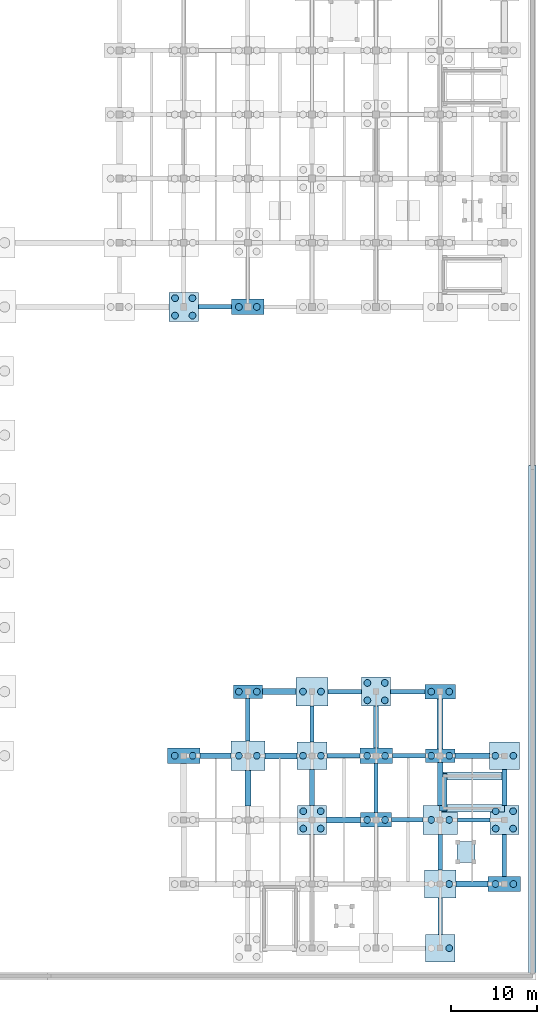
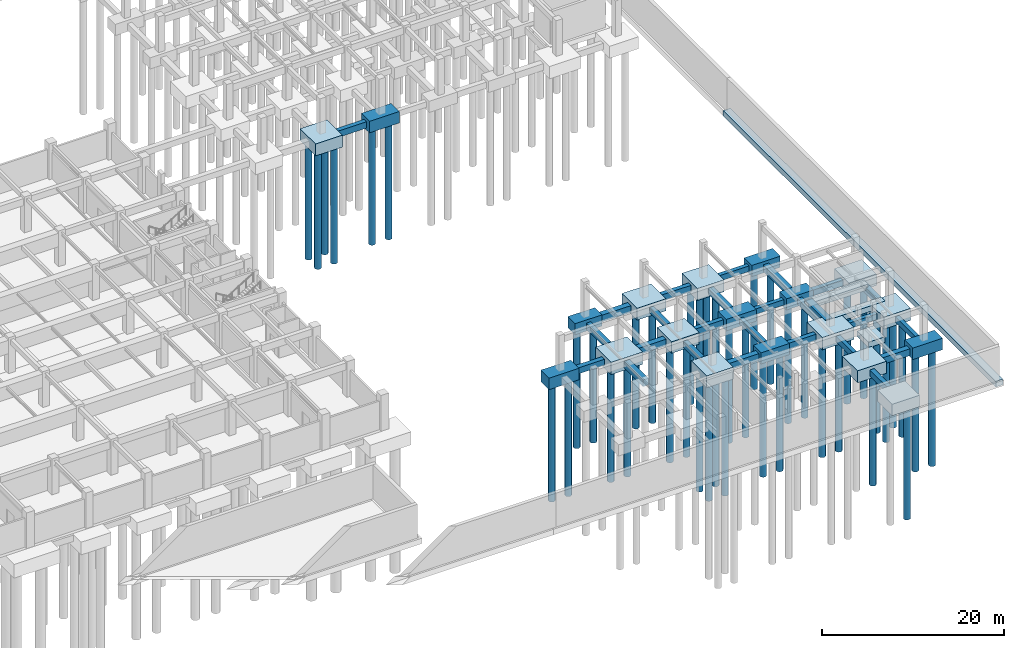
# One storey, part 10 of 38: 49 footings, 44 piles.
"""IFC4 building model written with IfcOpenShell, lengths in metres."""

from ifc_helpers import new_model, si_unit, direction, frame, origin, origin_2d, place, context, subcontext, project, spatial, polyline, rectangle, circle, outline, extrude, material, material_profile, profile_set, type_object, element, save


model = new_model("IFC4")

# Units and contexts
model_context = context("Model", 3, precision=1e-05, world=origin(), true_north=direction((0.0, 1.0)))
body_context = subcontext(model_context, "Body", "Model", "MODEL_VIEW")
ifc_project = project(units=[si_unit("LENGTHUNIT", "METRE"), si_unit("AREAUNIT", "SQUARE_METRE"), si_unit("VOLUMEUNIT", "CUBIC_METRE"), si_unit("PLANEANGLEUNIT", "RADIAN"), si_unit("MASSUNIT", "GRAM", prefix="KILO")], contexts=[model_context])

# Site, building, storey
site_placement = place(None, origin())
site = spatial("IfcSite", under=ifc_project, at=site_placement, CompositionType="ELEMENT")
building_placement = place(site_placement, origin())
building = spatial("IfcBuilding", under=site, at=building_placement, Name="Qasida Concert Hall", CompositionType="ELEMENT")
storey_placement = place(building_placement, frame((0.0, 0.0, -4.800048828125)))
storey = spatial("IfcBuildingStorey", under=building, at=storey_placement, Name="B1", CompositionType="ELEMENT", Elevation=-4.800048828125)

# Footings
ifc_material = material(Name="Concrete C40/50", Category="concrete")
footing_type_1 = type_object("IfcFootingType", Name="FT-GB-1", PredefinedType="FOOTING_BEAM", material=ifc_material)
footing_1_placement = place(storey_placement, frame((0.0, 0.0, -1.169921875)))
element("IfcFooting", 1, at=footing_1_placement, inside=storey, type_object=footing_type_1, Name="Ground tie beam GB-1 028", PredefinedType="FOOTING_BEAM", context=body_context, shape_type="SweptSolid", body=[
    extrude(outline(polyline([(159.5, 14.75), (163.300048828125, 14.75), (163.300048828125, 15.25), (159.5, 15.25), (159.5, 14.75)])), origin(), (0.0, 0.0, 1.0), 0.75),
])
footing_2_placement = place(storey_placement, frame((0.0, 0.0, -1.169921875)))
element("IfcFooting", 2, at=footing_2_placement, inside=storey, type_object=footing_type_1, Name="Ground tie beam GB-1 044", PredefinedType="FOOTING_BEAM", context=body_context, shape_type="SweptSolid", body=[
    extrude(outline(polyline([(151.89990234375, 22.25), (155.800048828125, 22.25), (155.800048828125, 22.75), (151.89990234375, 22.75), (151.89990234375, 22.25)])), origin(), (0.0, 0.0, 1.0), 0.75),
])
footing_3_placement = place(storey_placement, frame((0.0, 0.0, -1.169921875)))
element("IfcFooting", 3, at=footing_3_placement, inside=storey, type_object=footing_type_1, Name="Ground tie beam GB-1 060", PredefinedType="FOOTING_BEAM", context=body_context, shape_type="SweptSolid", body=[
    extrude(outline(polyline([(151.699951171875, 29.75), (155.699951171875, 29.75), (155.699951171875, 30.25), (151.699951171875, 30.25), (151.699951171875, 29.75)])), origin(), (0.0, 0.0, 1.0), 0.75),
])
footing_4_placement = place(storey_placement, frame((0.0, 0.0, -1.169921875)))
element("IfcFooting", 4, at=footing_4_placement, inside=storey, type_object=footing_type_1, Name="Ground tie beam GB-1 332", PredefinedType="FOOTING_BEAM", context=body_context, shape_type="SweptSolid", body=[
    extrude(outline(polyline([(142.25, 24.10009765625), (142.75, 24.10009765625), (142.75, 28.35009765625), (142.25, 28.35009765625), (142.25, 24.10009765625)])), origin(), (0.0, 0.0, 1.0), 0.75),
])
footing_5_placement = place(storey_placement, frame((0.0, 0.0, -1.169921875)))
element("IfcFooting", 5, at=footing_5_placement, inside=storey, type_object=footing_type_1, Name="Ground tie beam GB-1 340", PredefinedType="FOOTING_BEAM", context=body_context, shape_type="SweptSolid", body=[
    extrude(outline(polyline([(149.75, 15.85009765625), (150.25, 15.85009765625), (150.25, 21.60009765625), (149.75, 21.60009765625), (149.75, 15.85009765625)])), origin(), (0.0, 0.0, 1.0), 0.75),
])
footing_6_placement = place(storey_placement, frame((0.0, 0.0, -1.169921875)))
element("IfcFooting", 6, at=footing_6_placement, inside=storey, type_object=footing_type_1, Name="Ground tie beam GB-1 348", PredefinedType="FOOTING_BEAM", context=body_context, shape_type="SweptSolid", body=[
    extrude(outline(polyline([(157.25, 9.14990234375), (157.75, 9.14990234375), (157.75, 13.300048828125), (157.25, 13.300048828125), (157.25, 9.14990234375)])), origin(), (0.0, 0.0, 1.0), 0.75),
])
footing_7_placement = place(storey_placement, frame((0.0, 0.0, -1.169921875)))
element("IfcFooting", 7, at=footing_7_placement, inside=storey, type_object=footing_type_1, Name="Ground tie beam GB-1 356", PredefinedType="FOOTING_BEAM", context=body_context, shape_type="SweptSolid", body=[
    extrude(outline(polyline([(164.75, 8.39990234375), (165.25, 8.39990234375), (165.25, 13.300048828125), (164.75, 13.300048828125), (164.75, 8.39990234375)])), origin(), (0.0, 0.0, 1.0), 0.75),
])
footing_type_2 = type_object("IfcFootingType", Name="FT-GB-2", PredefinedType="FOOTING_BEAM", material=ifc_material)
footing_8_placement = place(storey_placement, frame((0.0, 0.0, -1.219970703125)))
element("IfcFooting", 8, at=footing_8_placement, inside=storey, type_object=footing_type_2, Name="Ground tie beam GB-2 041", PredefinedType="FOOTING_BEAM", context=body_context, shape_type="SweptSolid", body=[
    extrude(outline(polyline([(129.39990234375, 22.199951171875), (133.0, 22.199951171875), (133.0, 22.800048828125), (129.39990234375, 22.800048828125), (129.39990234375, 22.199951171875)])), origin(), (0.0, 0.0, 1.0), 0.800048828125),
])
footing_9_placement = place(storey_placement, frame((0.0, 0.0, -1.219970703125)))
element("IfcFooting", 9, at=footing_9_placement, inside=storey, type_object=footing_type_2, Name="Ground tie beam GB-2 045", PredefinedType="FOOTING_BEAM", context=body_context, shape_type="SweptSolid", body=[
    extrude(outline(polyline([(159.199951171875, 22.199951171875), (163.25, 22.199951171875), (163.25, 22.800048828125), (159.199951171875, 22.800048828125), (159.199951171875, 22.199951171875)])), origin(), (0.0, 0.0, 1.0), 0.800048828125),
])
footing_10_placement = place(storey_placement, frame((0.0, 0.0, -1.219970703125)))
element("IfcFooting", 10, at=footing_10_placement, inside=storey, type_object=footing_type_2, Name="Ground tie beam GB-2 341", PredefinedType="FOOTING_BEAM", context=body_context, shape_type="SweptSolid", body=[
    extrude(outline(polyline([(149.699951171875, 23.39990234375), (150.300048828125, 23.39990234375), (150.300048828125, 28.300048828125), (149.699951171875, 28.300048828125), (149.699951171875, 23.39990234375)])), origin(), (0.0, 0.0, 1.0), 0.800048828125),
])
footing_11_placement = place(storey_placement, frame((0.0, 0.0, -1.219970703125)))
element("IfcFooting", 11, at=footing_11_placement, inside=storey, type_object=footing_type_2, Name="Ground tie beam GB-2 349", PredefinedType="FOOTING_BEAM", context=body_context, shape_type="SweptSolid", body=[
    extrude(outline(polyline([(157.199951171875, 16.699951171875), (157.800048828125, 16.699951171875), (157.800048828125, 21.699951171875), (157.199951171875, 21.699951171875), (157.199951171875, 16.699951171875)])), origin(), (0.0, 0.0, 1.0), 0.800048828125),
])
footing_12_placement = place(storey_placement, frame((0.0, 0.0, -1.219970703125)))
element("IfcFooting", 12, at=footing_12_placement, inside=storey, type_object=footing_type_2, Name="Ground tie beam GB-2 357", PredefinedType="FOOTING_BEAM", context=body_context, shape_type="SweptSolid", body=[
    extrude(outline(polyline([(164.699951171875, 16.699951171875), (165.300048828125, 16.699951171875), (165.300048828125, 20.89990234375), (164.699951171875, 20.89990234375), (164.699951171875, 16.699951171875)])), origin(), (0.0, 0.0, 1.0), 0.800048828125),
])
footing_type_3 = type_object("IfcFootingType", Name="FT-GB-3", PredefinedType="FOOTING_BEAM", material=ifc_material)
footing_13_placement = place(storey_placement, frame((0.0, 0.0, -1.320068359375)))
element("IfcFooting", 13, at=footing_13_placement, inside=storey, type_object=footing_type_3, Name="Ground tie beam GB-3 018", PredefinedType="FOOTING_BEAM", context=body_context, shape_type="SweptSolid", body=[
    extrude(outline(polyline([(159.35009765625, 7.14990234375), (163.10009765625, 7.14990234375), (163.10009765625, 7.85009765625), (159.35009765625, 7.85009765625), (159.35009765625, 7.14990234375)])), origin(), (0.0, 0.0, 1.0), 0.900146484375),
])
footing_14_placement = place(storey_placement, frame((0.0, 0.0, -1.320068359375)))
element("IfcFooting", 14, at=footing_14_placement, inside=storey, type_object=footing_type_3, Name="Ground tie beam GB-3 026", PredefinedType="FOOTING_BEAM", context=body_context, shape_type="SweptSolid", body=[
    extrude(outline(polyline([(144.199951171875, 14.64990234375), (148.199951171875, 14.64990234375), (148.199951171875, 15.35009765625), (144.199951171875, 15.35009765625), (144.199951171875, 14.64990234375)])), origin(), (0.0, 0.0, 1.0), 0.900146484375),
])
footing_15_placement = place(storey_placement, frame((0.0, 0.0, -1.320068359375)))
element("IfcFooting", 15, at=footing_15_placement, inside=storey, type_object=footing_type_3, Name="Ground tie beam GB-3 042", PredefinedType="FOOTING_BEAM", context=body_context, shape_type="SweptSolid", body=[
    extrude(outline(polyline([(137.0, 22.14990234375), (140.75, 22.14990234375), (140.75, 22.85009765625), (137.0, 22.85009765625), (137.0, 22.14990234375)])), origin(), (0.0, 0.0, 1.0), 0.900146484375),
])
footing_16_placement = place(storey_placement, frame((0.0, 0.0, -1.320068359375)))
element("IfcFooting", 16, at=footing_16_placement, inside=storey, type_object=footing_type_3, Name="Ground tie beam GB-3 058", PredefinedType="FOOTING_BEAM", context=body_context, shape_type="SweptSolid", body=[
    extrude(outline(polyline([(136.699951171875, 29.64990234375), (140.64990234375, 29.64990234375), (140.64990234375, 30.35009765625), (136.699951171875, 30.35009765625), (136.699951171875, 29.64990234375)])), origin(), (0.0, 0.0, 1.0), 0.900146484375),
])
footing_17_placement = place(storey_placement, frame((0.0, 0.0, -1.320068359375)))
element("IfcFooting", 17, at=footing_17_placement, inside=storey, type_object=footing_type_3, Name="Ground tie beam GB-3 322", PredefinedType="FOOTING_BEAM", context=body_context, shape_type="SweptSolid", body=[
    extrude(outline(polyline([(134.64990234375, 16.64990234375), (135.35009765625, 16.64990234375), (135.35009765625, 20.800048828125), (134.64990234375, 20.800048828125), (134.64990234375, 16.64990234375)])), origin(), (0.0, 0.0, 1.0), 0.900146484375),
])
footing_18_placement = place(storey_placement, frame((0.0, 0.0, -1.320068359375)))
element("IfcFooting", 18, at=footing_18_placement, inside=storey, type_object=footing_type_3, Name="Ground tie beam GB-3 350", PredefinedType="FOOTING_BEAM", context=body_context, shape_type="SweptSolid", body=[
    extrude(outline(polyline([(157.14990234375, 23.300048828125), (157.85009765625, 23.300048828125), (157.85009765625, 29.14990234375), (157.14990234375, 29.14990234375), (157.14990234375, 23.300048828125)])), origin(), (0.0, 0.0, 1.0), 0.900146484375),
])
footing_type_4 = type_object("IfcFootingType", Name="FT-GB-4", PredefinedType="FOOTING_BEAM", material=ifc_material)
footing_19_placement = place(storey_placement, frame((0.0, 0.0, -1.27001953125)))
element("IfcFooting", 19, at=footing_19_placement, inside=storey, type_object=footing_type_4, Name="Ground tie beam GB-4 027", PredefinedType="FOOTING_BEAM", context=body_context, shape_type="SweptSolid", body=[
    extrude(outline(polyline([(151.800048828125, 14.72509765625), (155.5, 14.72509765625), (155.5, 15.27490234375), (151.800048828125, 15.27490234375), (151.800048828125, 14.72509765625)])), origin(), (0.0, 0.0, 1.0), 0.85009765625),
])
footing_20_placement = place(storey_placement, frame((0.0, 0.0, -1.27001953125)))
element("IfcFooting", 20, at=footing_20_placement, inside=storey, type_object=footing_type_4, Name="Ground tie beam GB-4 043", PredefinedType="FOOTING_BEAM", context=body_context, shape_type="SweptSolid", body=[
    extrude(outline(polyline([(144.25, 22.22509765625), (148.10009765625, 22.22509765625), (148.10009765625, 22.77490234375), (144.25, 22.77490234375), (144.25, 22.22509765625)])), origin(), (0.0, 0.0, 1.0), 0.85009765625),
])
footing_21_placement = place(storey_placement, frame((0.0, 0.0, -1.27001953125)))
element("IfcFooting", 21, at=footing_21_placement, inside=storey, type_object=footing_type_4, Name="Ground tie beam GB-4 059", PredefinedType="FOOTING_BEAM", context=body_context, shape_type="SweptSolid", body=[
    extrude(outline(polyline([(144.35009765625, 29.72509765625), (148.300048828125, 29.72509765625), (148.300048828125, 30.27490234375), (144.35009765625, 30.27490234375), (144.35009765625, 29.72509765625)])), origin(), (0.0, 0.0, 1.0), 0.85009765625),
])
footing_22_placement = place(storey_placement, frame((0.0, 0.0, -1.27001953125)))
element("IfcFooting", 22, at=footing_22_placement, inside=storey, type_object=footing_type_4, Name="Ground tie beam GB-4 115", PredefinedType="FOOTING_BEAM", context=body_context, shape_type="SweptSolid", body=[
    extrude(outline(polyline([(129.199951171875, 74.72509765625), (133.10009765625, 74.72509765625), (133.10009765625, 75.27490234375), (129.199951171875, 75.27490234375), (129.199951171875, 74.72509765625)])), origin(), (0.0, 0.0, 1.0), 0.85009765625),
])
footing_23_placement = place(storey_placement, frame((0.0, 0.0, -1.27001953125)))
element("IfcFooting", 23, at=footing_23_placement, inside=storey, type_object=footing_type_4, Name="Ground tie beam GB-4 323", PredefinedType="FOOTING_BEAM", context=body_context, shape_type="SweptSolid", body=[
    extrude(outline(polyline([(134.72509765625, 24.199951171875), (135.27490234375, 24.199951171875), (135.27490234375, 29.199951171875), (134.72509765625, 29.199951171875), (134.72509765625, 24.199951171875)])), origin(), (0.0, 0.0, 1.0), 0.85009765625),
])
footing_24_placement = place(storey_placement, frame((0.0, 0.0, -1.27001953125)))
element("IfcFooting", 24, at=footing_24_placement, inside=storey, type_object=footing_type_4, Name="Ground tie beam GB-4 331", PredefinedType="FOOTING_BEAM", context=body_context, shape_type="SweptSolid", body=[
    extrude(outline(polyline([(142.22509765625, 16.699951171875), (142.77490234375, 16.699951171875), (142.77490234375, 20.89990234375), (142.22509765625, 20.89990234375), (142.22509765625, 16.699951171875)])), origin(), (0.0, 0.0, 1.0), 0.85009765625),
])
footing_25_placement = place(storey_placement, frame((0.0, 0.0, -1.27001953125)))
element("IfcFooting", 25, at=footing_25_placement, inside=storey, type_object=footing_type_4, Name="Ground tie beam GB-4 347", PredefinedType="FOOTING_BEAM", context=body_context, shape_type="SweptSolid", body=[
    extrude(outline(polyline([(157.22509765625, 1.60009765625), (157.77490234375, 1.60009765625), (157.77490234375, 5.85009765625), (157.22509765625, 5.85009765625), (157.22509765625, 1.60009765625)])), origin(), (0.0, 0.0, 1.0), 0.85009765625),
])
footing_type_5 = type_object("IfcFootingType", Name="FT-PC-2C", PredefinedType="PILE_CAP", material=ifc_material)
for number, where, z_axis, x_axis, name in (
    (26, (135.0, 30.0, -1.5), (0.0, 0.0, 1.0), (1.0, 0.0, 0.0), "Pile cap PC-2C 070"),
    (27, (157.5, 22.5, -1.5), (0.0, 0.0, 1.0), (1.0, 0.0, 0.0), "Pile cap PC-2C 084"),
):
    element("IfcFooting", number, at=place(storey_placement, frame(where, z_axis=z_axis, x_axis=x_axis)), inside=storey, type_object=footing_type_5, Name=name, PredefinedType="PILE_CAP", context=body_context, shape_type="SweptSolid", body=[
        extrude(rectangle(XDim=3.39990234375, YDim=1.60009765625, at=origin_2d()), origin(), (0.0, 0.0, 1.0), 1.5),
    ])
footing_type_6 = type_object("IfcFootingType", Name="FT-PC-2D", PredefinedType="PILE_CAP", material=ifc_material)
for number, where, z_axis, x_axis, name in (
    (28, (150.0, 15.0, -1.5), (0.0, 0.0, 1.0), (1.0, 0.0, 0.0), "Pile cap PC-2D 078"),
    (29, (157.5, 30.0, -1.5), (0.0, 0.0, 1.0), (1.0, 0.0, 0.0), "Pile cap PC-2D 085"),
):
    element("IfcFooting", number, at=place(storey_placement, frame(where, z_axis=z_axis, x_axis=x_axis)), inside=storey, type_object=footing_type_6, Name=name, PredefinedType="PILE_CAP", context=body_context, shape_type="SweptSolid", body=[
        extrude(rectangle(XDim=3.60009765625, YDim=1.699951171875, at=origin_2d()), origin(), (0.0, 0.0, 1.0), 1.5),
    ])
footing_type_7 = type_object("IfcFootingType", Name="FT-PC-2E", PredefinedType="PILE_CAP", material=ifc_material)
for number, where, z_axis, x_axis, name in (
    (30, (127.5, 22.5, -1.5498046875), (0.0, 0.0, 1.0), (1.0, 0.0, 0.0), "Pile cap PC-2E 065"),
    (31, (150.0, 22.5, -1.5498046875), (0.0, 0.0, 1.0), (1.0, 0.0, 0.0), "Pile cap PC-2E 079"),
    (32, (165.0, 7.5, -1.5498046875), (0.0, 0.0, 1.0), (1.0, 0.0, 0.0), "Pile cap PC-2E 086"),
    (33, (135.0, 75.0, -1.5498046875), (0.0, 0.0, 1.0), (1.0, 0.0, 0.0), "Pile cap PC-2E 149"),
):
    element("IfcFooting", number, at=place(storey_placement, frame(where, z_axis=z_axis, x_axis=x_axis)), inside=storey, type_object=footing_type_7, Name=name, PredefinedType="PILE_CAP", context=body_context, shape_type="SweptSolid", body=[
        extrude(rectangle(XDim=3.800048828125, YDim=1.800048828125, at=origin_2d()), origin(), (0.0, 0.0, 1.0), 1.550048828125),
    ])
footing_type_8 = type_object("IfcFootingType", Name="FT-PC-3B", PredefinedType="PILE_CAP", material=ifc_material)
for number, where, z_axis, x_axis, name in (
    (34, (142.5, 22.5, -1.5498046875), (0.0, 0.0, 1.0), (1.0, 0.0, 0.0), "Pile cap PC-3B 074"),
    (35, (157.5, 0.0, -1.5498046875), (0.0, 0.0, 1.0), (1.0, 0.0, 0.0), "Pile cap PC-3B 081"),
    (36, (165.0, 22.5, -1.5498046875), (0.0, 0.0, 1.0), (1.0, 0.0, 0.0), "Pile cap PC-3B 088"),
):
    element("IfcFooting", number, at=place(storey_placement, frame(where, z_axis=z_axis, x_axis=x_axis)), inside=storey, type_object=footing_type_8, Name=name, PredefinedType="PILE_CAP", context=body_context, shape_type="SweptSolid", body=[
        extrude(rectangle(XDim=3.5, YDim=3.199951171875, at=origin_2d()), origin(), (0.0, 0.0, 1.0), 1.550048828125),
    ])
footing_type_9 = type_object("IfcFootingType", Name="FT-PC-3C", PredefinedType="PILE_CAP", material=ifc_material)
for number, where, z_axis, x_axis, name in (
    (37, (142.5, 30.0, -1.60009765625), (0.0, 0.0, 1.0), (1.0, 0.0, 0.0), "Pile cap PC-3C 075"),
    (38, (157.5, 7.5, -1.60009765625), (0.0, 0.0, 1.0), (1.0, 0.0, 0.0), "Pile cap PC-3C 082"),
):
    element("IfcFooting", number, at=place(storey_placement, frame(where, z_axis=z_axis, x_axis=x_axis)), inside=storey, type_object=footing_type_9, Name=name, PredefinedType="PILE_CAP", context=body_context, shape_type="SweptSolid", body=[
        extrude(rectangle(XDim=3.699951171875, YDim=3.300048828125, at=origin_2d()), origin(), (0.0, 0.0, 1.0), 1.60009765625),
    ])
footing_type_10 = type_object("IfcFootingType", Name="FT-PC-4B", PredefinedType="PILE_CAP", material=ifc_material)
for number, where, z_axis, x_axis, name in (
    (39, (142.5, 15.0, -1.60009765625), (0.0, 0.0, 1.0), (1.0, 0.0, 0.0), "Pile cap PC-4B 073"),
    (40, (150.0, 30.0, -1.60009765625), (0.0, 0.0, 1.0), (1.0, 0.0, 0.0), "Pile cap PC-4B 080"),
    (41, (165.0, 15.0, -1.60009765625), (0.0, 0.0, 1.0), (1.0, 0.0, 0.0), "Pile cap PC-4B 087"),
    (42, (127.5, 75.0, -1.60009765625), (0.0, 0.0, 1.0), (1.0, 0.0, 0.0), "Pile cap PC-4B 143"),
):
    element("IfcFooting", number, at=place(storey_placement, frame(where, z_axis=z_axis, x_axis=x_axis)), inside=storey, type_object=footing_type_10, Name=name, PredefinedType="PILE_CAP", context=body_context, shape_type="SweptSolid", body=[
        extrude(rectangle(XDim=3.39990234375, YDim=3.39990234375, at=origin_2d()), origin(), (0.0, 0.0, 1.0), 1.60009765625),
    ])
footing_type_11 = type_object("IfcFootingType", Name="FT-PC-4E", PredefinedType="PILE_CAP", material=ifc_material)
for number, where, z_axis, x_axis, name in (
    (43, (135.0, 22.5, -1.64990234375), (0.0, 0.0, 1.0), (1.0, 0.0, 0.0), "Pile cap PC-4E 069"),
    (44, (157.5, 15.0, -1.64990234375), (0.0, 0.0, 1.0), (1.0, 0.0, 0.0), "Pile cap PC-4E 083"),
):
    element("IfcFooting", number, at=place(storey_placement, frame(where, z_axis=z_axis, x_axis=x_axis)), inside=storey, type_object=footing_type_11, Name=name, PredefinedType="PILE_CAP", context=body_context, shape_type="SweptSolid", body=[
        extrude(rectangle(XDim=4.0, YDim=3.39990234375, at=origin_2d()), origin(), (0.0, 0.0, 1.0), 1.64990234375),
    ])
footing_type_12 = type_object("IfcFootingType", Name="FT-PF-6A", PredefinedType="PAD_FOOTING", material=ifc_material)
footing_26_placement = place(storey_placement, frame((0.0, 0.0, -0.75)))
element("IfcFooting", 45, at=footing_26_placement, inside=storey, type_object=footing_type_12, Name="Lift pit foundation LF-12", PredefinedType="PAD_FOOTING", context=body_context, shape_type="SweptSolid", body=[
    extrude(outline(polyline([(159.449951171875, 10.0), (161.550048828125, 10.0), (161.550048828125, 12.5), (159.449951171875, 12.5), (159.449951171875, 10.0)])), origin(), (0.0, 0.0, 1.0), 0.75),
])
footing_type_13 = type_object("IfcFootingType", Name="FT-SF-2A", PredefinedType="STRIP_FOOTING", material=ifc_material)
footing_27_placement = place(storey_placement, frame((0.0, 0.0, -0.75)))
element("IfcFooting", 46, at=footing_27_placement, inside=storey, type_object=footing_type_13, Name="B1 ST10 core strip footing S", PredefinedType="STRIP_FOOTING", context=body_context, shape_type="SweptSolid", body=[
    extrude(outline(polyline([(157.39990234375, 15.925048828125), (165.0, 15.925048828125), (165.0, 16.824951171875), (157.39990234375, 16.824951171875), (157.39990234375, 15.925048828125)])), origin(), (0.0, 0.0, 1.0), 0.75),
])
footing_28_placement = place(storey_placement, frame((0.0, 0.0, -0.75)))
element("IfcFooting", 47, at=footing_28_placement, inside=storey, type_object=footing_type_13, Name="B1 ST10 core strip footing N", PredefinedType="STRIP_FOOTING", context=body_context, shape_type="SweptSolid", body=[
    extrude(outline(polyline([(157.39990234375, 19.675048828125), (165.0, 19.675048828125), (165.0, 20.574951171875), (157.39990234375, 20.574951171875), (157.39990234375, 19.675048828125)])), origin(), (0.0, 0.0, 1.0), 0.75),
])
footing_29_placement = place(storey_placement, frame((0.0, 0.0, -0.75)))
element("IfcFooting", 48, at=footing_29_placement, inside=storey, type_object=footing_type_13, Name="B1 ST10 core strip footing W", PredefinedType="STRIP_FOOTING", context=body_context, shape_type="SweptSolid", body=[
    extrude(outline(polyline([(157.405029296875, 16.050048828125), (158.304931640625, 16.050048828125), (158.304931640625, 20.449951171875), (157.405029296875, 20.449951171875), (157.405029296875, 16.050048828125)])), origin(), (0.0, 0.0, 1.0), 0.75),
])
footing_30_placement = place(storey_placement, frame((0.0, 0.0, -0.75)))
element("IfcFooting", 49, at=footing_30_placement, inside=storey, type_object=footing_type_13, Name="B1 plaza plinth strip footing PLW-E1", PredefinedType="STRIP_FOOTING", context=body_context, shape_type="SweptSolid", body=[
    extrude(outline(polyline([(167.824951171875, -3.5), (168.72509765625, -3.5), (168.72509765625, 56.449951171875), (167.824951171875, 56.449951171875), (167.824951171875, -3.5)])), origin(), (0.0, 0.0, 1.0), 0.75),
])

# Piles
ifc_material_profile = material_profile(ifc_material, circle(Radius=0.39990234375, at=origin_2d()), Name="BORED PILE D800")
ifc_profile_set = profile_set([ifc_material_profile], Name="Concrete C40/50")
pile_type = type_object("IfcPileType", Name="PL-BORED-800", PredefinedType="BORED", material=ifc_profile_set)
for number, where, z_axis, x_axis, name in (
    (50, (126.449951171875, 22.5, -1.449951171875), (0.0, 0.0, -1.0), (1.0, 0.0, 0.0), "Bored pile 0147"),
    (51, (128.550048828125, 22.5, -1.449951171875), (0.0, 0.0, -1.0), (1.0, 0.0, 0.0), "Bored pile 0148"),
):
    element("IfcPile", number, at=place(storey_placement, frame(where, z_axis=z_axis, x_axis=x_axis)), inside=storey, type_object=pile_type, Name=name, PredefinedType="BORED", context=body_context, shape_type="SweptSolid", body=[
        extrude(circle(Radius=0.39990234375, at=origin_2d()), origin(), (0.0, 0.0, 1.0), 15.75),
    ])
for number, where, z_axis, x_axis, name in (
    (52, (133.949951171875, 22.5, -1.550048828125), (0.0, 0.0, -1.0), (1.0, 0.0, 0.0), "Bored pile 0157"),
    (53, (136.050048828125, 22.5, -1.550048828125), (0.0, 0.0, -1.0), (1.0, 0.0, 0.0), "Bored pile 0158"),
):
    element("IfcPile", number, at=place(storey_placement, frame(where, z_axis=z_axis, x_axis=x_axis)), inside=storey, type_object=pile_type, Name=name, PredefinedType="BORED", context=body_context, shape_type="SweptSolid", body=[
        extrude(circle(Radius=0.39990234375, at=origin_2d()), origin(), (0.0, 0.0, 1.0), 15.64990234375),
    ])
for number, where, z_axis, x_axis, name in (
    (54, (133.949951171875, 30.0, -1.39990234375), (0.0, 0.0, -1.0), (1.0, 0.0, 0.0), "Bored pile 0159"),
    (55, (136.050048828125, 30.0, -1.39990234375), (0.0, 0.0, -1.0), (1.0, 0.0, 0.0), "Bored pile 0160"),
):
    element("IfcPile", number, at=place(storey_placement, frame(where, z_axis=z_axis, x_axis=x_axis)), inside=storey, type_object=pile_type, Name=name, PredefinedType="BORED", context=body_context, shape_type="SweptSolid", body=[
        extrude(circle(Radius=0.39990234375, at=origin_2d()), origin(), (0.0, 0.0, 1.0), 15.800048828125),
    ])
for number, where, z_axis, x_axis, name in (
    (56, (141.47998046875, 13.97998046875, -1.5), (0.0, 0.0, -1.0), (1.0, 0.0, 0.0), "Bored pile 0165"),
    (57, (143.52001953125, 13.97998046875, -1.5), (0.0, 0.0, -1.0), (1.0, 0.0, 0.0), "Bored pile 0166"),
    (58, (141.47998046875, 16.02001953125, -1.5), (0.0, 0.0, -1.0), (1.0, 0.0, 0.0), "Bored pile 0167"),
    (59, (143.52001953125, 16.02001953125, -1.5), (0.0, 0.0, -1.0), (1.0, 0.0, 0.0), "Bored pile 0168"),
):
    element("IfcPile", number, at=place(storey_placement, frame(where, z_axis=z_axis, x_axis=x_axis)), inside=storey, type_object=pile_type, Name=name, PredefinedType="BORED", context=body_context, shape_type="SweptSolid", body=[
        extrude(circle(Radius=0.39990234375, at=origin_2d()), origin(), (0.0, 0.0, 1.0), 15.699951171875),
    ])
for number, where, z_axis, x_axis, name in (
    (60, (141.449951171875, 22.5, -1.449951171875), (0.0, 0.0, -1.0), (1.0, 0.0, 0.0), "Bored pile 0169"),
    (61, (143.550048828125, 22.5, -1.449951171875), (0.0, 0.0, -1.0), (1.0, 0.0, 0.0), "Bored pile 0170"),
):
    element("IfcPile", number, at=place(storey_placement, frame(where, z_axis=z_axis, x_axis=x_axis)), inside=storey, type_object=pile_type, Name=name, PredefinedType="BORED", context=body_context, shape_type="SweptSolid", body=[
        extrude(circle(Radius=0.39990234375, at=origin_2d()), origin(), (0.0, 0.0, 1.0), 15.75),
    ])
for number, where, z_axis, x_axis, name in (
    (62, (141.449951171875, 30.0, -1.5), (0.0, 0.0, -1.0), (1.0, 0.0, 0.0), "Bored pile 0171"),
    (63, (143.550048828125, 30.0, -1.5), (0.0, 0.0, -1.0), (1.0, 0.0, 0.0), "Bored pile 0172"),
):
    element("IfcPile", number, at=place(storey_placement, frame(where, z_axis=z_axis, x_axis=x_axis)), inside=storey, type_object=pile_type, Name=name, PredefinedType="BORED", context=body_context, shape_type="SweptSolid", body=[
        extrude(circle(Radius=0.39990234375, at=origin_2d()), origin(), (0.0, 0.0, 1.0), 15.699951171875),
    ])
for number, where, z_axis, x_axis, name in (
    (64, (148.949951171875, 15.0, -1.39990234375), (0.0, 0.0, -1.0), (1.0, 0.0, 0.0), "Bored pile 0177"),
    (65, (151.050048828125, 15.0, -1.39990234375), (0.0, 0.0, -1.0), (1.0, 0.0, 0.0), "Bored pile 0178"),
):
    element("IfcPile", number, at=place(storey_placement, frame(where, z_axis=z_axis, x_axis=x_axis)), inside=storey, type_object=pile_type, Name=name, PredefinedType="BORED", context=body_context, shape_type="SweptSolid", body=[
        extrude(circle(Radius=0.39990234375, at=origin_2d()), origin(), (0.0, 0.0, 1.0), 15.800048828125),
    ])
for number, where, z_axis, x_axis, name in (
    (66, (148.949951171875, 22.5, -1.449951171875), (0.0, 0.0, -1.0), (1.0, 0.0, 0.0), "Bored pile 0179"),
    (67, (151.050048828125, 22.5, -1.449951171875), (0.0, 0.0, -1.0), (1.0, 0.0, 0.0), "Bored pile 0180"),
):
    element("IfcPile", number, at=place(storey_placement, frame(where, z_axis=z_axis, x_axis=x_axis)), inside=storey, type_object=pile_type, Name=name, PredefinedType="BORED", context=body_context, shape_type="SweptSolid", body=[
        extrude(circle(Radius=0.39990234375, at=origin_2d()), origin(), (0.0, 0.0, 1.0), 15.75),
    ])
for number, where, z_axis, x_axis, name in (
    (68, (148.97998046875, 28.97998046875, -1.5), (0.0, 0.0, -1.0), (1.0, 0.0, 0.0), "Bored pile 0181"),
    (69, (151.02001953125, 28.97998046875, -1.5), (0.0, 0.0, -1.0), (1.0, 0.0, 0.0), "Bored pile 0182"),
    (70, (148.97998046875, 31.02001953125, -1.5), (0.0, 0.0, -1.0), (1.0, 0.0, 0.0), "Bored pile 0183"),
    (71, (151.02001953125, 31.02001953125, -1.5), (0.0, 0.0, -1.0), (1.0, 0.0, 0.0), "Bored pile 0184"),
):
    element("IfcPile", number, at=place(storey_placement, frame(where, z_axis=z_axis, x_axis=x_axis)), inside=storey, type_object=pile_type, Name=name, PredefinedType="BORED", context=body_context, shape_type="SweptSolid", body=[
        extrude(circle(Radius=0.39990234375, at=origin_2d()), origin(), (0.0, 0.0, 1.0), 15.699951171875),
    ])
pile_1_placement = place(storey_placement, frame((158.550048828125, 0.0, -1.449951171875), z_axis=(0.0, 0.0, -1.0), x_axis=(1.0, 0.0, 0.0)))
element("IfcPile", 72, at=pile_1_placement, inside=storey, type_object=pile_type, Name="Bored pile 0186", PredefinedType="BORED", context=body_context, shape_type="SweptSolid", body=[
    extrude(circle(Radius=0.39990234375, at=origin_2d()), origin(), (0.0, 0.0, 1.0), 15.75),
])
pile_2_placement = place(storey_placement, frame((158.550048828125, 7.5, -1.5), z_axis=(0.0, 0.0, -1.0), x_axis=(1.0, 0.0, 0.0)))
element("IfcPile", 73, at=pile_2_placement, inside=storey, type_object=pile_type, Name="Bored pile 0188", PredefinedType="BORED", context=body_context, shape_type="SweptSolid", body=[
    extrude(circle(Radius=0.39990234375, at=origin_2d()), origin(), (0.0, 0.0, 1.0), 15.699951171875),
])
for number, where, z_axis, x_axis, name in (
    (74, (156.449951171875, 15.0, -1.550048828125), (0.0, 0.0, -1.0), (1.0, 0.0, 0.0), "Bored pile 0189"),
    (75, (158.550048828125, 15.0, -1.550048828125), (0.0, 0.0, -1.0), (1.0, 0.0, 0.0), "Bored pile 0190"),
):
    element("IfcPile", number, at=place(storey_placement, frame(where, z_axis=z_axis, x_axis=x_axis)), inside=storey, type_object=pile_type, Name=name, PredefinedType="BORED", context=body_context, shape_type="SweptSolid", body=[
        extrude(circle(Radius=0.39990234375, at=origin_2d()), origin(), (0.0, 0.0, 1.0), 15.64990234375),
    ])
for number, where, z_axis, x_axis, name in (
    (76, (156.449951171875, 22.5, -1.39990234375), (0.0, 0.0, -1.0), (1.0, 0.0, 0.0), "Bored pile 0191"),
    (77, (158.550048828125, 22.5, -1.39990234375), (0.0, 0.0, -1.0), (1.0, 0.0, 0.0), "Bored pile 0192"),
    (78, (156.449951171875, 30.0, -1.39990234375), (0.0, 0.0, -1.0), (1.0, 0.0, 0.0), "Bored pile 0193"),
    (79, (158.550048828125, 30.0, -1.39990234375), (0.0, 0.0, -1.0), (1.0, 0.0, 0.0), "Bored pile 0194"),
):
    element("IfcPile", number, at=place(storey_placement, frame(where, z_axis=z_axis, x_axis=x_axis)), inside=storey, type_object=pile_type, Name=name, PredefinedType="BORED", context=body_context, shape_type="SweptSolid", body=[
        extrude(circle(Radius=0.39990234375, at=origin_2d()), origin(), (0.0, 0.0, 1.0), 15.800048828125),
    ])
for number, where, z_axis, x_axis, name in (
    (80, (163.949951171875, 7.5, -1.449951171875), (0.0, 0.0, -1.0), (1.0, 0.0, 0.0), "Bored pile 0195"),
    (81, (166.050048828125, 7.5, -1.449951171875), (0.0, 0.0, -1.0), (1.0, 0.0, 0.0), "Bored pile 0196"),
):
    element("IfcPile", number, at=place(storey_placement, frame(where, z_axis=z_axis, x_axis=x_axis)), inside=storey, type_object=pile_type, Name=name, PredefinedType="BORED", context=body_context, shape_type="SweptSolid", body=[
        extrude(circle(Radius=0.39990234375, at=origin_2d()), origin(), (0.0, 0.0, 1.0), 15.75),
    ])
for number, where, z_axis, x_axis, name in (
    (82, (163.97998046875, 13.97998046875, -1.5), (0.0, 0.0, -1.0), (1.0, 0.0, 0.0), "Bored pile 0197"),
    (83, (166.02001953125, 13.97998046875, -1.5), (0.0, 0.0, -1.0), (1.0, 0.0, 0.0), "Bored pile 0198"),
    (84, (163.97998046875, 16.02001953125, -1.5), (0.0, 0.0, -1.0), (1.0, 0.0, 0.0), "Bored pile 0199"),
    (85, (166.02001953125, 16.02001953125, -1.5), (0.0, 0.0, -1.0), (1.0, 0.0, 0.0), "Bored pile 0200"),
):
    element("IfcPile", number, at=place(storey_placement, frame(where, z_axis=z_axis, x_axis=x_axis)), inside=storey, type_object=pile_type, Name=name, PredefinedType="BORED", context=body_context, shape_type="SweptSolid", body=[
        extrude(circle(Radius=0.39990234375, at=origin_2d()), origin(), (0.0, 0.0, 1.0), 15.699951171875),
    ])
for number, where, z_axis, x_axis, name in (
    (86, (163.949951171875, 22.5, -1.449951171875), (0.0, 0.0, -1.0), (1.0, 0.0, 0.0), "Bored pile 0201"),
    (87, (166.050048828125, 22.5, -1.449951171875), (0.0, 0.0, -1.0), (1.0, 0.0, 0.0), "Bored pile 0202"),
):
    element("IfcPile", number, at=place(storey_placement, frame(where, z_axis=z_axis, x_axis=x_axis)), inside=storey, type_object=pile_type, Name=name, PredefinedType="BORED", context=body_context, shape_type="SweptSolid", body=[
        extrude(circle(Radius=0.39990234375, at=origin_2d()), origin(), (0.0, 0.0, 1.0), 15.75),
    ])
for number, where, z_axis, x_axis, name in (
    (88, (126.47998046875, 73.97998046875, -1.5), (0.0, 0.0, -1.0), (1.0, 0.0, 0.0), "Bored pile 0325"),
    (89, (128.52001953125, 73.97998046875, -1.5), (0.0, 0.0, -1.0), (1.0, 0.0, 0.0), "Bored pile 0326"),
    (90, (126.47998046875, 76.02001953125, -1.5), (0.0, 0.0, -1.0), (1.0, 0.0, 0.0), "Bored pile 0327"),
    (91, (128.52001953125, 76.02001953125, -1.5), (0.0, 0.0, -1.0), (1.0, 0.0, 0.0), "Bored pile 0328"),
):
    element("IfcPile", number, at=place(storey_placement, frame(where, z_axis=z_axis, x_axis=x_axis)), inside=storey, type_object=pile_type, Name=name, PredefinedType="BORED", context=body_context, shape_type="SweptSolid", body=[
        extrude(circle(Radius=0.39990234375, at=origin_2d()), origin(), (0.0, 0.0, 1.0), 15.699951171875),
    ])
for number, where, z_axis, x_axis, name in (
    (92, (133.949951171875, 75.0, -1.449951171875), (0.0, 0.0, -1.0), (1.0, 0.0, 0.0), "Bored pile 0339"),
    (93, (136.050048828125, 75.0, -1.449951171875), (0.0, 0.0, -1.0), (1.0, 0.0, 0.0), "Bored pile 0340"),
):
    element("IfcPile", number, at=place(storey_placement, frame(where, z_axis=z_axis, x_axis=x_axis)), inside=storey, type_object=pile_type, Name=name, PredefinedType="BORED", context=body_context, shape_type="SweptSolid", body=[
        extrude(circle(Radius=0.39990234375, at=origin_2d()), origin(), (0.0, 0.0, 1.0), 15.75),
    ])

save(model, "model.ifc")
